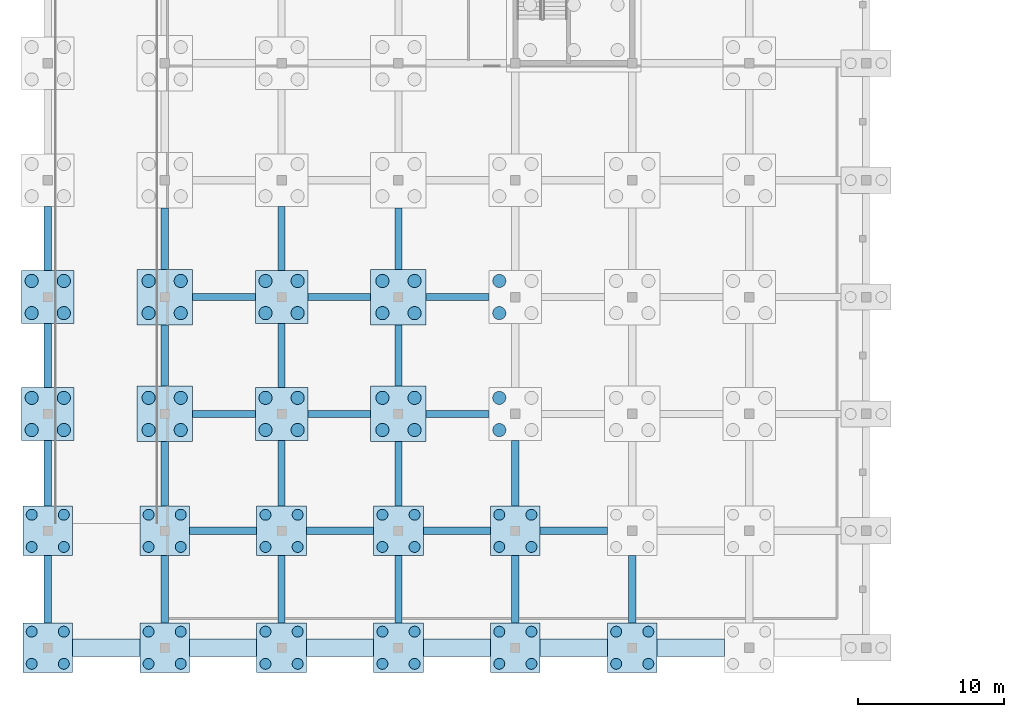
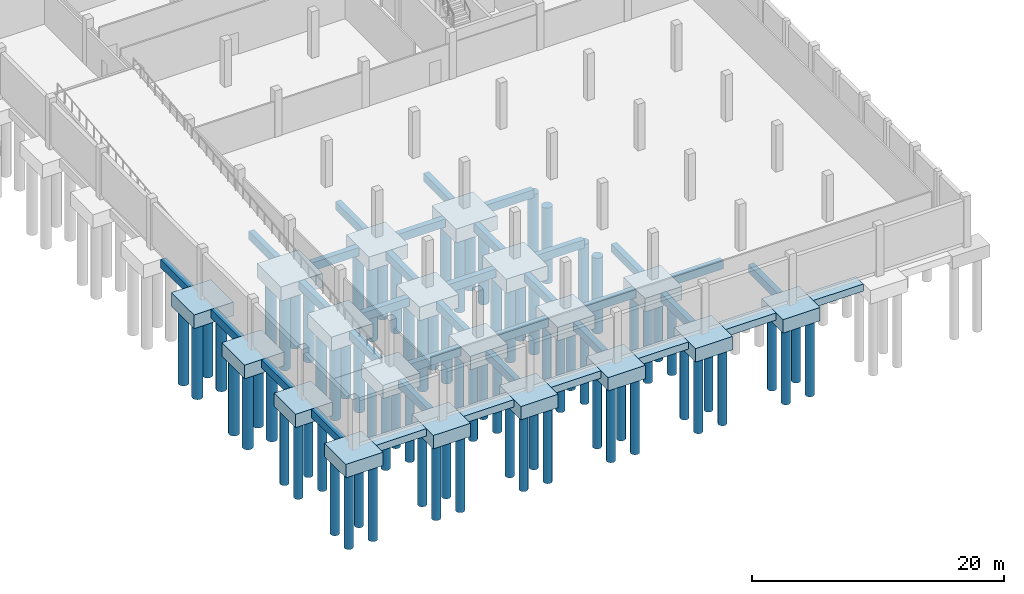
# One storey, part 1 of 22: 80 piles, 54 footings.
"""IFC4 building model written with IfcOpenShell, lengths in metres."""

from ifc_helpers import new_model, si_unit, direction, frame, origin, origin_2d, place, context, subcontext, project, spatial, polyline, rectangle, circle, outline, extrude, material, material_profile, profile_set, type_object, element, save


model = new_model("IFC4")

# Units and contexts
model_context = context("Model", 3, precision=1e-05, world=origin(), true_north=direction((0.0, 1.0)))
body_context = subcontext(model_context, "Body", "Model", "MODEL_VIEW")
ifc_project = project(units=[si_unit("LENGTHUNIT", "METRE"), si_unit("AREAUNIT", "SQUARE_METRE"), si_unit("VOLUMEUNIT", "CUBIC_METRE"), si_unit("PLANEANGLEUNIT", "RADIAN"), si_unit("MASSUNIT", "GRAM", prefix="KILO")], contexts=[model_context])

# Site, building, storey
site_placement = place(None, origin())
site = spatial("IfcSite", under=ifc_project, at=site_placement, CompositionType="ELEMENT")
building_placement = place(site_placement, origin())
building = spatial("IfcBuilding", under=site, at=building_placement, Name="Vharandega Faculty of Natural Sciences", CompositionType="ELEMENT")
storey_placement = place(building_placement, frame((0.0, 0.0, -4.5)))
storey = spatial("IfcBuildingStorey", under=building, at=storey_placement, Name="B01", CompositionType="ELEMENT", Elevation=-4.5)

# Piles
ifc_material_1 = material(Name="Concrete C35/45", Category="concrete")
ifc_material_profile_1 = material_profile(ifc_material_1, circle(Radius=0.375, at=origin_2d()), Name="PILE 750")
ifc_profile_set_1 = profile_set([ifc_material_profile_1], Name="Concrete C35/45")
pile_type_1 = type_object("IfcPileType", Name="Bored Pile 750", PredefinedType="BORED", material=ifc_profile_set_1)
for number, where, z_axis, x_axis, name in (
    (1, (-1.10009765625, -1.10009765625, -1.64990234375), (0.0, 0.0, -1.0), (1.0, 0.0, 0.0), "Bored Pile PL-1A-01"),
    (2, (1.10009765625, -1.10009765625, -1.64990234375), (0.0, 0.0, -1.0), (1.0, 0.0, 0.0), "Bored Pile PL-1A-02"),
    (3, (1.10009765625, 1.10009765625, -1.64990234375), (0.0, 0.0, -1.0), (1.0, 0.0, 0.0), "Bored Pile PL-1A-03"),
    (4, (-1.10009765625, 1.10009765625, -1.64990234375), (0.0, 0.0, -1.0), (1.0, 0.0, 0.0), "Bored Pile PL-1A-04"),
    (5, (-1.10009765625, 6.89990234375, -1.64990234375), (0.0, 0.0, -1.0), (1.0, 0.0, 0.0), "Bored Pile PL-1B-01"),
    (6, (1.10009765625, 6.89990234375, -1.64990234375), (0.0, 0.0, -1.0), (1.0, 0.0, 0.0), "Bored Pile PL-1B-02"),
    (7, (1.10009765625, 9.10009765625, -1.64990234375), (0.0, 0.0, -1.0), (1.0, 0.0, 0.0), "Bored Pile PL-1B-03"),
    (8, (-1.10009765625, 9.10009765625, -1.64990234375), (0.0, 0.0, -1.0), (1.0, 0.0, 0.0), "Bored Pile PL-1B-04"),
    (9, (6.89990234375, -1.10009765625, -1.64990234375), (0.0, 0.0, -1.0), (1.0, 0.0, 0.0), "Bored Pile PL-2A-01"),
    (10, (9.10009765625, -1.10009765625, -1.64990234375), (0.0, 0.0, -1.0), (1.0, 0.0, 0.0), "Bored Pile PL-2A-02"),
    (11, (9.10009765625, 1.10009765625, -1.64990234375), (0.0, 0.0, -1.0), (1.0, 0.0, 0.0), "Bored Pile PL-2A-03"),
    (12, (6.89990234375, 1.10009765625, -1.64990234375), (0.0, 0.0, -1.0), (1.0, 0.0, 0.0), "Bored Pile PL-2A-04"),
    (13, (6.89990234375, 6.89990234375, -1.64990234375), (0.0, 0.0, -1.0), (1.0, 0.0, 0.0), "Bored Pile PL-2B-01"),
    (14, (9.10009765625, 6.89990234375, -1.64990234375), (0.0, 0.0, -1.0), (1.0, 0.0, 0.0), "Bored Pile PL-2B-02"),
    (15, (9.10009765625, 9.10009765625, -1.64990234375), (0.0, 0.0, -1.0), (1.0, 0.0, 0.0), "Bored Pile PL-2B-03"),
    (16, (6.89990234375, 9.10009765625, -1.64990234375), (0.0, 0.0, -1.0), (1.0, 0.0, 0.0), "Bored Pile PL-2B-04"),
    (17, (14.89990234375, -1.10009765625, -1.64990234375), (0.0, 0.0, -1.0), (1.0, 0.0, 0.0), "Bored Pile PL-3A-01"),
    (18, (17.10009765625, -1.10009765625, -1.64990234375), (0.0, 0.0, -1.0), (1.0, 0.0, 0.0), "Bored Pile PL-3A-02"),
    (19, (17.10009765625, 1.10009765625, -1.64990234375), (0.0, 0.0, -1.0), (1.0, 0.0, 0.0), "Bored Pile PL-3A-03"),
    (20, (14.89990234375, 1.10009765625, -1.64990234375), (0.0, 0.0, -1.0), (1.0, 0.0, 0.0), "Bored Pile PL-3A-04"),
    (21, (14.89990234375, 6.89990234375, -1.64990234375), (0.0, 0.0, -1.0), (1.0, 0.0, 0.0), "Bored Pile PL-3B-01"),
    (22, (17.10009765625, 6.89990234375, -1.64990234375), (0.0, 0.0, -1.0), (1.0, 0.0, 0.0), "Bored Pile PL-3B-02"),
    (23, (17.10009765625, 9.10009765625, -1.64990234375), (0.0, 0.0, -1.0), (1.0, 0.0, 0.0), "Bored Pile PL-3B-03"),
    (24, (14.89990234375, 9.10009765625, -1.64990234375), (0.0, 0.0, -1.0), (1.0, 0.0, 0.0), "Bored Pile PL-3B-04"),
    (25, (22.89990234375, -1.10009765625, -1.64990234375), (0.0, 0.0, -1.0), (1.0, 0.0, 0.0), "Bored Pile PL-4A-01"),
    (26, (25.10009765625, -1.10009765625, -1.64990234375), (0.0, 0.0, -1.0), (1.0, 0.0, 0.0), "Bored Pile PL-4A-02"),
    (27, (25.10009765625, 1.10009765625, -1.64990234375), (0.0, 0.0, -1.0), (1.0, 0.0, 0.0), "Bored Pile PL-4A-03"),
    (28, (22.89990234375, 1.10009765625, -1.64990234375), (0.0, 0.0, -1.0), (1.0, 0.0, 0.0), "Bored Pile PL-4A-04"),
    (29, (22.89990234375, 6.89990234375, -1.64990234375), (0.0, 0.0, -1.0), (1.0, 0.0, 0.0), "Bored Pile PL-4B-01"),
    (30, (25.10009765625, 6.89990234375, -1.64990234375), (0.0, 0.0, -1.0), (1.0, 0.0, 0.0), "Bored Pile PL-4B-02"),
    (31, (25.10009765625, 9.10009765625, -1.64990234375), (0.0, 0.0, -1.0), (1.0, 0.0, 0.0), "Bored Pile PL-4B-03"),
    (32, (22.89990234375, 9.10009765625, -1.64990234375), (0.0, 0.0, -1.0), (1.0, 0.0, 0.0), "Bored Pile PL-4B-04"),
    (33, (30.89990234375, -1.10009765625, -1.64990234375), (0.0, 0.0, -1.0), (1.0, 0.0, 0.0), "Bored Pile PL-5A-01"),
    (34, (33.10009765625, -1.10009765625, -1.64990234375), (0.0, 0.0, -1.0), (1.0, 0.0, 0.0), "Bored Pile PL-5A-02"),
    (35, (33.10009765625, 1.10009765625, -1.64990234375), (0.0, 0.0, -1.0), (1.0, 0.0, 0.0), "Bored Pile PL-5A-03"),
    (36, (30.89990234375, 1.10009765625, -1.64990234375), (0.0, 0.0, -1.0), (1.0, 0.0, 0.0), "Bored Pile PL-5A-04"),
    (37, (30.89990234375, 6.89990234375, -1.64990234375), (0.0, 0.0, -1.0), (1.0, 0.0, 0.0), "Bored Pile PL-5B-01"),
    (38, (33.10009765625, 6.89990234375, -1.64990234375), (0.0, 0.0, -1.0), (1.0, 0.0, 0.0), "Bored Pile PL-5B-02"),
    (39, (33.10009765625, 9.10009765625, -1.64990234375), (0.0, 0.0, -1.0), (1.0, 0.0, 0.0), "Bored Pile PL-5B-03"),
    (40, (30.89990234375, 9.10009765625, -1.64990234375), (0.0, 0.0, -1.0), (1.0, 0.0, 0.0), "Bored Pile PL-5B-04"),
    (41, (38.89990234375, -1.10009765625, -1.64990234375), (0.0, 0.0, -1.0), (1.0, 0.0, 0.0), "Bored Pile PL-6A-01"),
    (42, (41.10009765625, -1.10009765625, -1.64990234375), (0.0, 0.0, -1.0), (1.0, 0.0, 0.0), "Bored Pile PL-6A-02"),
    (43, (41.10009765625, 1.10009765625, -1.64990234375), (0.0, 0.0, -1.0), (1.0, 0.0, 0.0), "Bored Pile PL-6A-03"),
    (44, (38.89990234375, 1.10009765625, -1.64990234375), (0.0, 0.0, -1.0), (1.0, 0.0, 0.0), "Bored Pile PL-6A-04"),
):
    element("IfcPile", number, at=place(storey_placement, frame(where, z_axis=z_axis, x_axis=x_axis)), inside=storey, type_object=pile_type_1, Name=name, PredefinedType="BORED", context=body_context, shape_type="SweptSolid", body=[
        extrude(circle(Radius=0.375, at=origin_2d()), origin(), (0.0, 0.0, 1.0), 7.35009765625),
    ])
ifc_material_2 = material(Name="Concrete C35/45", Category="concrete")
ifc_material_profile_2 = material_profile(ifc_material_2, circle(Radius=0.449951171875, at=origin_2d()), Name="PILE 900")
ifc_profile_set_2 = profile_set([ifc_material_profile_2], Name="Concrete C35/45")
pile_type_2 = type_object("IfcPileType", Name="Bored Pile 900", PredefinedType="BORED", material=ifc_profile_set_2)
for number, where, z_axis, x_axis, name in (
    (45, (-1.10009765625, 14.89990234375, -1.669921875), (0.0, 0.0, -1.0), (1.0, 0.0, 0.0), "Bored Pile PL-1C-01"),
    (46, (1.10009765625, 14.89990234375, -1.669921875), (0.0, 0.0, -1.0), (1.0, 0.0, 0.0), "Bored Pile PL-1C-02"),
    (47, (1.10009765625, 17.10009765625, -1.669921875), (0.0, 0.0, -1.0), (1.0, 0.0, 0.0), "Bored Pile PL-1C-03"),
    (48, (-1.10009765625, 17.10009765625, -1.669921875), (0.0, 0.0, -1.0), (1.0, 0.0, 0.0), "Bored Pile PL-1C-04"),
    (49, (-1.10009765625, 22.89990234375, -1.669921875), (0.0, 0.0, -1.0), (1.0, 0.0, 0.0), "Bored Pile PL-1D-01"),
    (50, (1.10009765625, 22.89990234375, -1.669921875), (0.0, 0.0, -1.0), (1.0, 0.0, 0.0), "Bored Pile PL-1D-02"),
    (51, (1.10009765625, 25.10009765625, -1.669921875), (0.0, 0.0, -1.0), (1.0, 0.0, 0.0), "Bored Pile PL-1D-03"),
    (52, (-1.10009765625, 25.10009765625, -1.669921875), (0.0, 0.0, -1.0), (1.0, 0.0, 0.0), "Bored Pile PL-1D-04"),
):
    element("IfcPile", number, at=place(storey_placement, frame(where, z_axis=z_axis, x_axis=x_axis)), inside=storey, type_object=pile_type_2, Name=name, PredefinedType="BORED", context=body_context, shape_type="SweptSolid", body=[
        extrude(circle(Radius=0.449951171875, at=origin_2d()), origin(), (0.0, 0.0, 1.0), 7.330078125),
    ])
for number, where, z_axis, x_axis, name in (
    (53, (6.89990234375, 14.89990234375, -1.699951171875), (0.0, 0.0, -1.0), (1.0, 0.0, 0.0), "Bored Pile PL-2C-01"),
    (54, (9.10009765625, 14.89990234375, -1.699951171875), (0.0, 0.0, -1.0), (1.0, 0.0, 0.0), "Bored Pile PL-2C-02"),
    (55, (9.10009765625, 17.10009765625, -1.699951171875), (0.0, 0.0, -1.0), (1.0, 0.0, 0.0), "Bored Pile PL-2C-03"),
    (56, (6.89990234375, 17.10009765625, -1.699951171875), (0.0, 0.0, -1.0), (1.0, 0.0, 0.0), "Bored Pile PL-2C-04"),
    (57, (6.89990234375, 22.89990234375, -1.699951171875), (0.0, 0.0, -1.0), (1.0, 0.0, 0.0), "Bored Pile PL-2D-01"),
    (58, (9.10009765625, 22.89990234375, -1.699951171875), (0.0, 0.0, -1.0), (1.0, 0.0, 0.0), "Bored Pile PL-2D-02"),
    (59, (9.10009765625, 25.10009765625, -1.699951171875), (0.0, 0.0, -1.0), (1.0, 0.0, 0.0), "Bored Pile PL-2D-03"),
    (60, (6.89990234375, 25.10009765625, -1.699951171875), (0.0, 0.0, -1.0), (1.0, 0.0, 0.0), "Bored Pile PL-2D-04"),
):
    element("IfcPile", number, at=place(storey_placement, frame(where, z_axis=z_axis, x_axis=x_axis)), inside=storey, type_object=pile_type_2, Name=name, PredefinedType="BORED", context=body_context, shape_type="SweptSolid", body=[
        extrude(circle(Radius=0.449951171875, at=origin_2d()), origin(), (0.0, 0.0, 1.0), 7.300048828125),
    ])
for number, where, z_axis, x_axis, name in (
    (61, (14.89990234375, 14.89990234375, -1.669921875), (0.0, 0.0, -1.0), (1.0, 0.0, 0.0), "Bored Pile PL-3C-01"),
    (62, (17.10009765625, 14.89990234375, -1.669921875), (0.0, 0.0, -1.0), (1.0, 0.0, 0.0), "Bored Pile PL-3C-02"),
    (63, (17.10009765625, 17.10009765625, -1.669921875), (0.0, 0.0, -1.0), (1.0, 0.0, 0.0), "Bored Pile PL-3C-03"),
    (64, (14.89990234375, 17.10009765625, -1.669921875), (0.0, 0.0, -1.0), (1.0, 0.0, 0.0), "Bored Pile PL-3C-04"),
    (65, (14.89990234375, 22.89990234375, -1.669921875), (0.0, 0.0, -1.0), (1.0, 0.0, 0.0), "Bored Pile PL-3D-01"),
    (66, (17.10009765625, 22.89990234375, -1.669921875), (0.0, 0.0, -1.0), (1.0, 0.0, 0.0), "Bored Pile PL-3D-02"),
    (67, (17.10009765625, 25.10009765625, -1.669921875), (0.0, 0.0, -1.0), (1.0, 0.0, 0.0), "Bored Pile PL-3D-03"),
    (68, (14.89990234375, 25.10009765625, -1.669921875), (0.0, 0.0, -1.0), (1.0, 0.0, 0.0), "Bored Pile PL-3D-04"),
):
    element("IfcPile", number, at=place(storey_placement, frame(where, z_axis=z_axis, x_axis=x_axis)), inside=storey, type_object=pile_type_2, Name=name, PredefinedType="BORED", context=body_context, shape_type="SweptSolid", body=[
        extrude(circle(Radius=0.449951171875, at=origin_2d()), origin(), (0.0, 0.0, 1.0), 7.330078125),
    ])
for number, where, z_axis, x_axis, name in (
    (69, (22.89990234375, 14.89990234375, -1.699951171875), (0.0, 0.0, -1.0), (1.0, 0.0, 0.0), "Bored Pile PL-4C-01"),
    (70, (25.10009765625, 14.89990234375, -1.699951171875), (0.0, 0.0, -1.0), (1.0, 0.0, 0.0), "Bored Pile PL-4C-02"),
    (71, (25.10009765625, 17.10009765625, -1.699951171875), (0.0, 0.0, -1.0), (1.0, 0.0, 0.0), "Bored Pile PL-4C-03"),
    (72, (22.89990234375, 17.10009765625, -1.699951171875), (0.0, 0.0, -1.0), (1.0, 0.0, 0.0), "Bored Pile PL-4C-04"),
    (73, (22.89990234375, 22.89990234375, -1.699951171875), (0.0, 0.0, -1.0), (1.0, 0.0, 0.0), "Bored Pile PL-4D-01"),
    (74, (25.10009765625, 22.89990234375, -1.699951171875), (0.0, 0.0, -1.0), (1.0, 0.0, 0.0), "Bored Pile PL-4D-02"),
    (75, (25.10009765625, 25.10009765625, -1.699951171875), (0.0, 0.0, -1.0), (1.0, 0.0, 0.0), "Bored Pile PL-4D-03"),
    (76, (22.89990234375, 25.10009765625, -1.699951171875), (0.0, 0.0, -1.0), (1.0, 0.0, 0.0), "Bored Pile PL-4D-04"),
):
    element("IfcPile", number, at=place(storey_placement, frame(where, z_axis=z_axis, x_axis=x_axis)), inside=storey, type_object=pile_type_2, Name=name, PredefinedType="BORED", context=body_context, shape_type="SweptSolid", body=[
        extrude(circle(Radius=0.449951171875, at=origin_2d()), origin(), (0.0, 0.0, 1.0), 7.300048828125),
    ])
for number, where, z_axis, x_axis, name in (
    (77, (30.89990234375, 14.89990234375, -1.669921875), (0.0, 0.0, -1.0), (1.0, 0.0, 0.0), "Bored Pile PL-5C-01"),
    (78, (30.89990234375, 17.10009765625, -1.669921875), (0.0, 0.0, -1.0), (1.0, 0.0, 0.0), "Bored Pile PL-5C-04"),
    (79, (30.89990234375, 22.89990234375, -1.669921875), (0.0, 0.0, -1.0), (1.0, 0.0, 0.0), "Bored Pile PL-5D-01"),
    (80, (30.89990234375, 25.10009765625, -1.669921875), (0.0, 0.0, -1.0), (1.0, 0.0, 0.0), "Bored Pile PL-5D-04"),
):
    element("IfcPile", number, at=place(storey_placement, frame(where, z_axis=z_axis, x_axis=x_axis)), inside=storey, type_object=pile_type_2, Name=name, PredefinedType="BORED", context=body_context, shape_type="SweptSolid", body=[
        extrude(circle(Radius=0.449951171875, at=origin_2d()), origin(), (0.0, 0.0, 1.0), 7.330078125),
    ])

# Footings
ifc_material_3 = material(Name="Concrete C35/45", Category="concrete")
footing_type_1 = type_object("IfcFootingType", Name="Ground Tie Beam 500x800", PredefinedType="FOOTING_BEAM", material=ifc_material_3)
footing_1_placement = place(storey_placement, frame((0.0, 0.0, -1.25)))
element("IfcFooting", 81, at=footing_1_placement, inside=storey, type_object=footing_type_1, Name="Substructure Tie FND-GB-X001", PredefinedType="FOOTING_BEAM", context=body_context, shape_type="SweptSolid", body=[
    extrude(outline(polyline([(9.699951171875, 7.75), (14.300048828125, 7.75), (14.300048828125, 8.25), (9.699951171875, 8.25), (9.699951171875, 7.75)])), origin(), (0.0, 0.0, 1.0), 0.800048828125),
])
footing_2_placement = place(storey_placement, frame((0.0, 0.0, -1.25)))
element("IfcFooting", 82, at=footing_2_placement, inside=storey, type_object=footing_type_1, Name="Substructure Tie FND-GB-X002", PredefinedType="FOOTING_BEAM", context=body_context, shape_type="SweptSolid", body=[
    extrude(outline(polyline([(17.699951171875, 7.75), (22.300048828125, 7.75), (22.300048828125, 8.25), (17.699951171875, 8.25), (17.699951171875, 7.75)])), origin(), (0.0, 0.0, 1.0), 0.800048828125),
])
footing_3_placement = place(storey_placement, frame((0.0, 0.0, -1.25)))
element("IfcFooting", 83, at=footing_3_placement, inside=storey, type_object=footing_type_1, Name="Substructure Tie FND-GB-X003", PredefinedType="FOOTING_BEAM", context=body_context, shape_type="SweptSolid", body=[
    extrude(outline(polyline([(25.699951171875, 7.75), (30.300048828125, 7.75), (30.300048828125, 8.25), (25.699951171875, 8.25), (25.699951171875, 7.75)])), origin(), (0.0, 0.0, 1.0), 0.800048828125),
])
footing_4_placement = place(storey_placement, frame((0.0, 0.0, -1.25)))
element("IfcFooting", 84, at=footing_4_placement, inside=storey, type_object=footing_type_1, Name="Substructure Tie FND-GB-X004", PredefinedType="FOOTING_BEAM", context=body_context, shape_type="SweptSolid", body=[
    extrude(outline(polyline([(33.699951171875, 7.75), (38.300048828125, 7.75), (38.300048828125, 8.25), (33.699951171875, 8.25), (33.699951171875, 7.75)])), origin(), (0.0, 0.0, 1.0), 0.800048828125),
])
footing_5_placement = place(storey_placement, frame((0.0, 0.0, -1.25)))
element("IfcFooting", 85, at=footing_5_placement, inside=storey, type_object=footing_type_1, Name="Substructure Tie FND-GB-X007", PredefinedType="FOOTING_BEAM", context=body_context, shape_type="SweptSolid", body=[
    extrude(outline(polyline([(9.89990234375, 15.75), (14.199951171875, 15.75), (14.199951171875, 16.25), (9.89990234375, 16.25), (9.89990234375, 15.75)])), origin(), (0.0, 0.0, 1.0), 0.800048828125),
])
footing_6_placement = place(storey_placement, frame((0.0, 0.0, -1.25)))
element("IfcFooting", 86, at=footing_6_placement, inside=storey, type_object=footing_type_1, Name="Substructure Tie FND-GB-X008", PredefinedType="FOOTING_BEAM", context=body_context, shape_type="SweptSolid", body=[
    extrude(outline(polyline([(17.800048828125, 15.75), (22.10009765625, 15.75), (22.10009765625, 16.25), (17.800048828125, 16.25), (17.800048828125, 15.75)])), origin(), (0.0, 0.0, 1.0), 0.800048828125),
])
footing_7_placement = place(storey_placement, frame((0.0, 0.0, -1.25)))
element("IfcFooting", 87, at=footing_7_placement, inside=storey, type_object=footing_type_1, Name="Substructure Tie FND-GB-X009", PredefinedType="FOOTING_BEAM", context=body_context, shape_type="SweptSolid", body=[
    extrude(outline(polyline([(25.89990234375, 15.75), (30.199951171875, 15.75), (30.199951171875, 16.25), (25.89990234375, 16.25), (25.89990234375, 15.75)])), origin(), (0.0, 0.0, 1.0), 0.800048828125),
])
footing_8_placement = place(storey_placement, frame((0.0, 0.0, -1.25)))
element("IfcFooting", 88, at=footing_8_placement, inside=storey, type_object=footing_type_1, Name="Substructure Tie FND-GB-X013", PredefinedType="FOOTING_BEAM", context=body_context, shape_type="SweptSolid", body=[
    extrude(outline(polyline([(9.89990234375, 23.75), (14.199951171875, 23.75), (14.199951171875, 24.25), (9.89990234375, 24.25), (9.89990234375, 23.75)])), origin(), (0.0, 0.0, 1.0), 0.800048828125),
])
footing_9_placement = place(storey_placement, frame((0.0, 0.0, -1.25)))
element("IfcFooting", 89, at=footing_9_placement, inside=storey, type_object=footing_type_1, Name="Substructure Tie FND-GB-X014", PredefinedType="FOOTING_BEAM", context=body_context, shape_type="SweptSolid", body=[
    extrude(outline(polyline([(17.800048828125, 23.75), (22.10009765625, 23.75), (22.10009765625, 24.25), (17.800048828125, 24.25), (17.800048828125, 23.75)])), origin(), (0.0, 0.0, 1.0), 0.800048828125),
])
footing_10_placement = place(storey_placement, frame((0.0, 0.0, -1.25)))
element("IfcFooting", 90, at=footing_10_placement, inside=storey, type_object=footing_type_1, Name="Substructure Tie FND-GB-X015", PredefinedType="FOOTING_BEAM", context=body_context, shape_type="SweptSolid", body=[
    extrude(outline(polyline([(25.89990234375, 23.75), (30.199951171875, 23.75), (30.199951171875, 24.25), (25.89990234375, 24.25), (25.89990234375, 23.75)])), origin(), (0.0, 0.0, 1.0), 0.800048828125),
])
footing_11_placement = place(storey_placement, frame((0.0, 0.0, -1.25)))
element("IfcFooting", 91, at=footing_11_placement, inside=storey, type_object=footing_type_1, Name="Substructure Tie FND-GB-Y126", PredefinedType="FOOTING_BEAM", context=body_context, shape_type="SweptSolid", body=[
    extrude(outline(polyline([(-0.25, 1.699951171875), (0.25, 1.699951171875), (0.25, 6.300048828125), (-0.25, 6.300048828125), (-0.25, 1.699951171875)])), origin(), (0.0, 0.0, 1.0), 0.800048828125),
])
footing_12_placement = place(storey_placement, frame((0.0, 0.0, -1.25)))
element("IfcFooting", 92, at=footing_12_placement, inside=storey, type_object=footing_type_1, Name="Substructure Tie FND-GB-Y127", PredefinedType="FOOTING_BEAM", context=body_context, shape_type="SweptSolid", body=[
    extrude(outline(polyline([(-0.25, 9.699951171875), (0.25, 9.699951171875), (0.25, 14.199951171875), (-0.25, 14.199951171875), (-0.25, 9.699951171875)])), origin(), (0.0, 0.0, 1.0), 0.800048828125),
])
footing_13_placement = place(storey_placement, frame((0.0, 0.0, -1.25)))
element("IfcFooting", 93, at=footing_13_placement, inside=storey, type_object=footing_type_1, Name="Substructure Tie FND-GB-Y128", PredefinedType="FOOTING_BEAM", context=body_context, shape_type="SweptSolid", body=[
    extrude(outline(polyline([(-0.25, 17.800048828125), (0.25, 17.800048828125), (0.25, 22.199951171875), (-0.25, 22.199951171875), (-0.25, 17.800048828125)])), origin(), (0.0, 0.0, 1.0), 0.800048828125),
])
footing_14_placement = place(storey_placement, frame((0.0, 0.0, -1.25)))
element("IfcFooting", 94, at=footing_14_placement, inside=storey, type_object=footing_type_1, Name="Substructure Tie FND-GB-Y129", PredefinedType="FOOTING_BEAM", context=body_context, shape_type="SweptSolid", body=[
    extrude(outline(polyline([(-0.25, 25.800048828125), (0.25, 25.800048828125), (0.25, 30.199951171875), (-0.25, 30.199951171875), (-0.25, 25.800048828125)])), origin(), (0.0, 0.0, 1.0), 0.800048828125),
])
footing_15_placement = place(storey_placement, frame((0.0, 0.0, -1.25)))
element("IfcFooting", 95, at=footing_15_placement, inside=storey, type_object=footing_type_1, Name="Substructure Tie FND-GB-Y138", PredefinedType="FOOTING_BEAM", context=body_context, shape_type="SweptSolid", body=[
    extrude(outline(polyline([(7.75, 1.699951171875), (8.25, 1.699951171875), (8.25, 6.300048828125), (7.75, 6.300048828125), (7.75, 1.699951171875)])), origin(), (0.0, 0.0, 1.0), 0.800048828125),
])
footing_16_placement = place(storey_placement, frame((0.0, 0.0, -1.25)))
element("IfcFooting", 96, at=footing_16_placement, inside=storey, type_object=footing_type_1, Name="Substructure Tie FND-GB-Y139", PredefinedType="FOOTING_BEAM", context=body_context, shape_type="SweptSolid", body=[
    extrude(outline(polyline([(7.75, 9.699951171875), (8.25, 9.699951171875), (8.25, 14.10009765625), (7.75, 14.10009765625), (7.75, 9.699951171875)])), origin(), (0.0, 0.0, 1.0), 0.800048828125),
])
footing_17_placement = place(storey_placement, frame((0.0, 0.0, -1.25)))
element("IfcFooting", 97, at=footing_17_placement, inside=storey, type_object=footing_type_1, Name="Substructure Tie FND-GB-Y140", PredefinedType="FOOTING_BEAM", context=body_context, shape_type="SweptSolid", body=[
    extrude(outline(polyline([(7.75, 17.89990234375), (8.25, 17.89990234375), (8.25, 22.10009765625), (7.75, 22.10009765625), (7.75, 17.89990234375)])), origin(), (0.0, 0.0, 1.0), 0.800048828125),
])
footing_18_placement = place(storey_placement, frame((0.0, 0.0, -1.25)))
element("IfcFooting", 98, at=footing_18_placement, inside=storey, type_object=footing_type_1, Name="Substructure Tie FND-GB-Y141", PredefinedType="FOOTING_BEAM", context=body_context, shape_type="SweptSolid", body=[
    extrude(outline(polyline([(7.75, 25.89990234375), (8.25, 25.89990234375), (8.25, 30.10009765625), (7.75, 30.10009765625), (7.75, 25.89990234375)])), origin(), (0.0, 0.0, 1.0), 0.800048828125),
])
footing_19_placement = place(storey_placement, frame((0.0, 0.0, -1.25)))
element("IfcFooting", 99, at=footing_19_placement, inside=storey, type_object=footing_type_1, Name="Substructure Tie FND-GB-Y150", PredefinedType="FOOTING_BEAM", context=body_context, shape_type="SweptSolid", body=[
    extrude(outline(polyline([(15.75, 1.699951171875), (16.25, 1.699951171875), (16.25, 6.300048828125), (15.75, 6.300048828125), (15.75, 1.699951171875)])), origin(), (0.0, 0.0, 1.0), 0.800048828125),
])
footing_20_placement = place(storey_placement, frame((0.0, 0.0, -1.25)))
element("IfcFooting", 100, at=footing_20_placement, inside=storey, type_object=footing_type_1, Name="Substructure Tie FND-GB-Y151", PredefinedType="FOOTING_BEAM", context=body_context, shape_type="SweptSolid", body=[
    extrude(outline(polyline([(15.75, 9.699951171875), (16.25, 9.699951171875), (16.25, 14.199951171875), (15.75, 14.199951171875), (15.75, 9.699951171875)])), origin(), (0.0, 0.0, 1.0), 0.800048828125),
])
footing_21_placement = place(storey_placement, frame((0.0, 0.0, -1.25)))
element("IfcFooting", 101, at=footing_21_placement, inside=storey, type_object=footing_type_1, Name="Substructure Tie FND-GB-Y152", PredefinedType="FOOTING_BEAM", context=body_context, shape_type="SweptSolid", body=[
    extrude(outline(polyline([(15.75, 17.800048828125), (16.25, 17.800048828125), (16.25, 22.199951171875), (15.75, 22.199951171875), (15.75, 17.800048828125)])), origin(), (0.0, 0.0, 1.0), 0.800048828125),
])
footing_22_placement = place(storey_placement, frame((0.0, 0.0, -1.25)))
element("IfcFooting", 102, at=footing_22_placement, inside=storey, type_object=footing_type_1, Name="Substructure Tie FND-GB-Y153", PredefinedType="FOOTING_BEAM", context=body_context, shape_type="SweptSolid", body=[
    extrude(outline(polyline([(15.75, 25.800048828125), (16.25, 25.800048828125), (16.25, 30.199951171875), (15.75, 30.199951171875), (15.75, 25.800048828125)])), origin(), (0.0, 0.0, 1.0), 0.800048828125),
])
footing_23_placement = place(storey_placement, frame((0.0, 0.0, -1.25)))
element("IfcFooting", 103, at=footing_23_placement, inside=storey, type_object=footing_type_1, Name="Substructure Tie FND-GB-Y162", PredefinedType="FOOTING_BEAM", context=body_context, shape_type="SweptSolid", body=[
    extrude(outline(polyline([(23.75, 1.699951171875), (24.25, 1.699951171875), (24.25, 6.300048828125), (23.75, 6.300048828125), (23.75, 1.699951171875)])), origin(), (0.0, 0.0, 1.0), 0.800048828125),
])
footing_24_placement = place(storey_placement, frame((0.0, 0.0, -1.25)))
element("IfcFooting", 104, at=footing_24_placement, inside=storey, type_object=footing_type_1, Name="Substructure Tie FND-GB-Y163", PredefinedType="FOOTING_BEAM", context=body_context, shape_type="SweptSolid", body=[
    extrude(outline(polyline([(23.75, 9.699951171875), (24.25, 9.699951171875), (24.25, 14.10009765625), (23.75, 14.10009765625), (23.75, 9.699951171875)])), origin(), (0.0, 0.0, 1.0), 0.800048828125),
])
footing_25_placement = place(storey_placement, frame((0.0, 0.0, -1.25)))
element("IfcFooting", 105, at=footing_25_placement, inside=storey, type_object=footing_type_1, Name="Substructure Tie FND-GB-Y164", PredefinedType="FOOTING_BEAM", context=body_context, shape_type="SweptSolid", body=[
    extrude(outline(polyline([(23.75, 17.89990234375), (24.25, 17.89990234375), (24.25, 22.10009765625), (23.75, 22.10009765625), (23.75, 17.89990234375)])), origin(), (0.0, 0.0, 1.0), 0.800048828125),
])
footing_26_placement = place(storey_placement, frame((0.0, 0.0, -1.25)))
element("IfcFooting", 106, at=footing_26_placement, inside=storey, type_object=footing_type_1, Name="Substructure Tie FND-GB-Y165", PredefinedType="FOOTING_BEAM", context=body_context, shape_type="SweptSolid", body=[
    extrude(outline(polyline([(23.75, 25.89990234375), (24.25, 25.89990234375), (24.25, 30.10009765625), (23.75, 30.10009765625), (23.75, 25.89990234375)])), origin(), (0.0, 0.0, 1.0), 0.800048828125),
])
footing_27_placement = place(storey_placement, frame((0.0, 0.0, -1.25)))
element("IfcFooting", 107, at=footing_27_placement, inside=storey, type_object=footing_type_1, Name="Substructure Tie FND-GB-Y174", PredefinedType="FOOTING_BEAM", context=body_context, shape_type="SweptSolid", body=[
    extrude(outline(polyline([(31.75, 1.699951171875), (32.25, 1.699951171875), (32.25, 6.300048828125), (31.75, 6.300048828125), (31.75, 1.699951171875)])), origin(), (0.0, 0.0, 1.0), 0.800048828125),
])
footing_28_placement = place(storey_placement, frame((0.0, 0.0, -1.25)))
element("IfcFooting", 108, at=footing_28_placement, inside=storey, type_object=footing_type_1, Name="Substructure Tie FND-GB-Y175", PredefinedType="FOOTING_BEAM", context=body_context, shape_type="SweptSolid", body=[
    extrude(outline(polyline([(31.75, 9.699951171875), (32.25, 9.699951171875), (32.25, 14.199951171875), (31.75, 14.199951171875), (31.75, 9.699951171875)])), origin(), (0.0, 0.0, 1.0), 0.800048828125),
])
footing_29_placement = place(storey_placement, frame((0.0, 0.0, -1.25)))
element("IfcFooting", 109, at=footing_29_placement, inside=storey, type_object=footing_type_1, Name="Substructure Tie FND-GB-Y185", PredefinedType="FOOTING_BEAM", context=body_context, shape_type="SweptSolid", body=[
    extrude(outline(polyline([(39.75, 1.699951171875), (40.25, 1.699951171875), (40.25, 6.300048828125), (39.75, 6.300048828125), (39.75, 1.699951171875)])), origin(), (0.0, 0.0, 1.0), 0.800048828125),
])
ifc_material_4 = material(Name="Concrete C35/45", Category="concrete")
footing_type_2 = type_object("IfcFootingType", Name="Perimeter Strip Footing 1200x700", PredefinedType="STRIP_FOOTING", material=ifc_material_4)
footing_30_placement = place(storey_placement, frame((0.0, 0.0, -1.14990234375)))
element("IfcFooting", 110, at=footing_30_placement, inside=storey, type_object=footing_type_2, Name="Substructure Tie FND-SF-X001", PredefinedType="STRIP_FOOTING", context=body_context, shape_type="SweptSolid", body=[
    extrude(outline(polyline([(1.699951171875, -0.60009765625), (6.300048828125, -0.60009765625), (6.300048828125, 0.60009765625), (1.699951171875, 0.60009765625), (1.699951171875, -0.60009765625)])), origin(), (0.0, 0.0, 1.0), 0.699951171875),
])
footing_31_placement = place(storey_placement, frame((0.0, 0.0, -1.14990234375)))
element("IfcFooting", 111, at=footing_31_placement, inside=storey, type_object=footing_type_2, Name="Substructure Tie FND-SF-X002", PredefinedType="STRIP_FOOTING", context=body_context, shape_type="SweptSolid", body=[
    extrude(outline(polyline([(9.699951171875, -0.60009765625), (14.300048828125, -0.60009765625), (14.300048828125, 0.60009765625), (9.699951171875, 0.60009765625), (9.699951171875, -0.60009765625)])), origin(), (0.0, 0.0, 1.0), 0.699951171875),
])
footing_32_placement = place(storey_placement, frame((0.0, 0.0, -1.14990234375)))
element("IfcFooting", 112, at=footing_32_placement, inside=storey, type_object=footing_type_2, Name="Substructure Tie FND-SF-X003", PredefinedType="STRIP_FOOTING", context=body_context, shape_type="SweptSolid", body=[
    extrude(outline(polyline([(17.699951171875, -0.60009765625), (22.300048828125, -0.60009765625), (22.300048828125, 0.60009765625), (17.699951171875, 0.60009765625), (17.699951171875, -0.60009765625)])), origin(), (0.0, 0.0, 1.0), 0.699951171875),
])
footing_33_placement = place(storey_placement, frame((0.0, 0.0, -1.14990234375)))
element("IfcFooting", 113, at=footing_33_placement, inside=storey, type_object=footing_type_2, Name="Substructure Tie FND-SF-X004", PredefinedType="STRIP_FOOTING", context=body_context, shape_type="SweptSolid", body=[
    extrude(outline(polyline([(25.699951171875, -0.60009765625), (30.300048828125, -0.60009765625), (30.300048828125, 0.60009765625), (25.699951171875, 0.60009765625), (25.699951171875, -0.60009765625)])), origin(), (0.0, 0.0, 1.0), 0.699951171875),
])
footing_34_placement = place(storey_placement, frame((0.0, 0.0, -1.14990234375)))
element("IfcFooting", 114, at=footing_34_placement, inside=storey, type_object=footing_type_2, Name="Substructure Tie FND-SF-X005", PredefinedType="STRIP_FOOTING", context=body_context, shape_type="SweptSolid", body=[
    extrude(outline(polyline([(33.699951171875, -0.60009765625), (38.300048828125, -0.60009765625), (38.300048828125, 0.60009765625), (33.699951171875, 0.60009765625), (33.699951171875, -0.60009765625)])), origin(), (0.0, 0.0, 1.0), 0.699951171875),
])
footing_35_placement = place(storey_placement, frame((0.0, 0.0, -1.14990234375)))
element("IfcFooting", 115, at=footing_35_placement, inside=storey, type_object=footing_type_2, Name="Substructure Tie FND-SF-X006", PredefinedType="STRIP_FOOTING", context=body_context, shape_type="SweptSolid", body=[
    extrude(outline(polyline([(41.699951171875, -0.60009765625), (46.300048828125, -0.60009765625), (46.300048828125, 0.60009765625), (41.699951171875, 0.60009765625), (41.699951171875, -0.60009765625)])), origin(), (0.0, 0.0, 1.0), 0.699951171875),
])
ifc_material_5 = material(Name="Concrete C35/45", Category="concrete")
footing_type_3 = type_object("IfcFootingType", Name="Pile Cap 4P 3400x3400x1300", PredefinedType="PILE_CAP", material=ifc_material_5)
for number, where, z_axis, x_axis, name in (
    (116, (0.0, 0.0, -1.75), (0.0, 0.0, 1.0), (1.0, 0.0, 0.0), "Pile Cap 1/A"),
    (117, (0.0, 8.0, -1.75), (0.0, 0.0, 1.0), (1.0, 0.0, 0.0), "Pile Cap 1/B"),
    (118, (8.0, 0.0, -1.75), (0.0, 0.0, 1.0), (1.0, 0.0, 0.0), "Pile Cap 2/A"),
    (119, (8.0, 8.0, -1.75), (0.0, 0.0, 1.0), (1.0, 0.0, 0.0), "Pile Cap 2/B"),
    (120, (16.0, 0.0, -1.75), (0.0, 0.0, 1.0), (1.0, 0.0, 0.0), "Pile Cap 3/A"),
    (121, (16.0, 8.0, -1.75), (0.0, 0.0, 1.0), (1.0, 0.0, 0.0), "Pile Cap 3/B"),
    (122, (24.0, 0.0, -1.75), (0.0, 0.0, 1.0), (1.0, 0.0, 0.0), "Pile Cap 4/A"),
    (123, (24.0, 8.0, -1.75), (0.0, 0.0, 1.0), (1.0, 0.0, 0.0), "Pile Cap 4/B"),
    (124, (32.0, 0.0, -1.75), (0.0, 0.0, 1.0), (1.0, 0.0, 0.0), "Pile Cap 5/A"),
    (125, (32.0, 8.0, -1.75), (0.0, 0.0, 1.0), (1.0, 0.0, 0.0), "Pile Cap 5/B"),
    (126, (40.0, 0.0, -1.75), (0.0, 0.0, 1.0), (1.0, 0.0, 0.0), "Pile Cap 6/A"),
):
    element("IfcFooting", number, at=place(storey_placement, frame(where, z_axis=z_axis, x_axis=x_axis)), inside=storey, type_object=footing_type_3, Name=name, PredefinedType="PILE_CAP", context=body_context, shape_type="SweptSolid", body=[
        extrude(rectangle(XDim=3.39990234375, YDim=3.39990234375, at=origin_2d()), origin(), (0.0, 0.0, 1.0), 1.300048828125),
    ])
ifc_material_6 = material(Name="Concrete C35/45", Category="concrete")
footing_type_4 = type_object("IfcFootingType", Name="Pile Cap 4P 3600x3600x1320", PredefinedType="PILE_CAP", material=ifc_material_6)
for number, where, z_axis, x_axis, name in (
    (127, (0.0, 16.0, -1.77001953125), (0.0, 0.0, 1.0), (1.0, 0.0, 0.0), "Pile Cap 1/C"),
    (128, (0.0, 24.0, -1.77001953125), (0.0, 0.0, 1.0), (1.0, 0.0, 0.0), "Pile Cap 1/D"),
    (129, (16.0, 16.0, -1.77001953125), (0.0, 0.0, 1.0), (1.0, 0.0, 0.0), "Pile Cap 3/C"),
    (130, (16.0, 24.0, -1.77001953125), (0.0, 0.0, 1.0), (1.0, 0.0, 0.0), "Pile Cap 3/D"),
):
    element("IfcFooting", number, at=place(storey_placement, frame(where, z_axis=z_axis, x_axis=x_axis)), inside=storey, type_object=footing_type_4, Name=name, PredefinedType="PILE_CAP", context=body_context, shape_type="SweptSolid", body=[
        extrude(rectangle(XDim=3.60009765625, YDim=3.60009765625, at=origin_2d()), origin(), (0.0, 0.0, 1.0), 1.320068359375),
    ])
ifc_material_7 = material(Name="Concrete C35/45", Category="concrete")
footing_type_5 = type_object("IfcFootingType", Name="Pile Cap 4P 3800x3800x1350", PredefinedType="PILE_CAP", material=ifc_material_7)
for number, where, z_axis, x_axis, name in (
    (131, (8.0, 16.0, -1.800048828125), (0.0, 0.0, 1.0), (1.0, 0.0, 0.0), "Pile Cap 2/C"),
    (132, (8.0, 24.0, -1.800048828125), (0.0, 0.0, 1.0), (1.0, 0.0, 0.0), "Pile Cap 2/D"),
    (133, (24.0, 16.0, -1.800048828125), (0.0, 0.0, 1.0), (1.0, 0.0, 0.0), "Pile Cap 4/C"),
    (134, (24.0, 24.0, -1.800048828125), (0.0, 0.0, 1.0), (1.0, 0.0, 0.0), "Pile Cap 4/D"),
):
    element("IfcFooting", number, at=place(storey_placement, frame(where, z_axis=z_axis, x_axis=x_axis)), inside=storey, type_object=footing_type_5, Name=name, PredefinedType="PILE_CAP", context=body_context, shape_type="SweptSolid", body=[
        extrude(rectangle(XDim=3.800048828125, YDim=3.800048828125, at=origin_2d()), origin(), (0.0, 0.0, 1.0), 1.35009765625),
    ])

save(model, "model.ifc")
